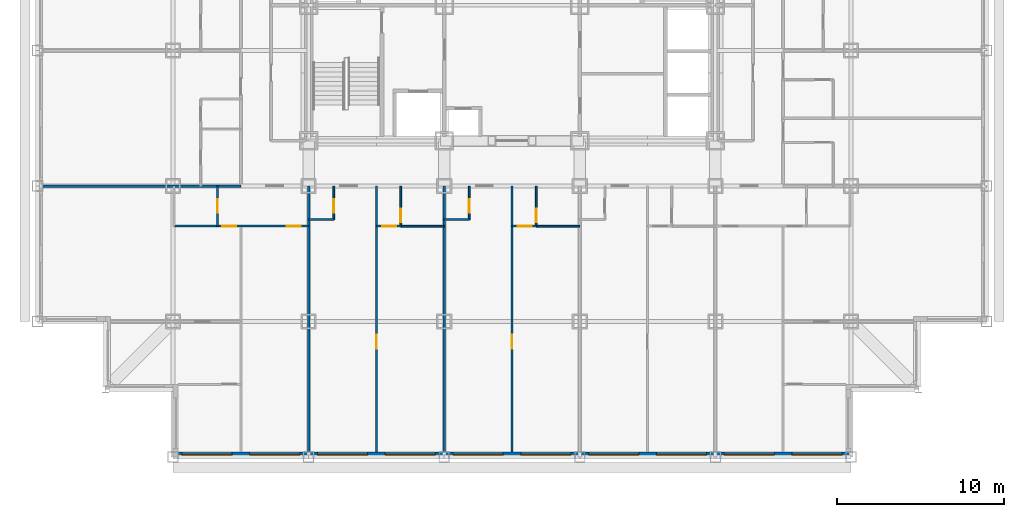
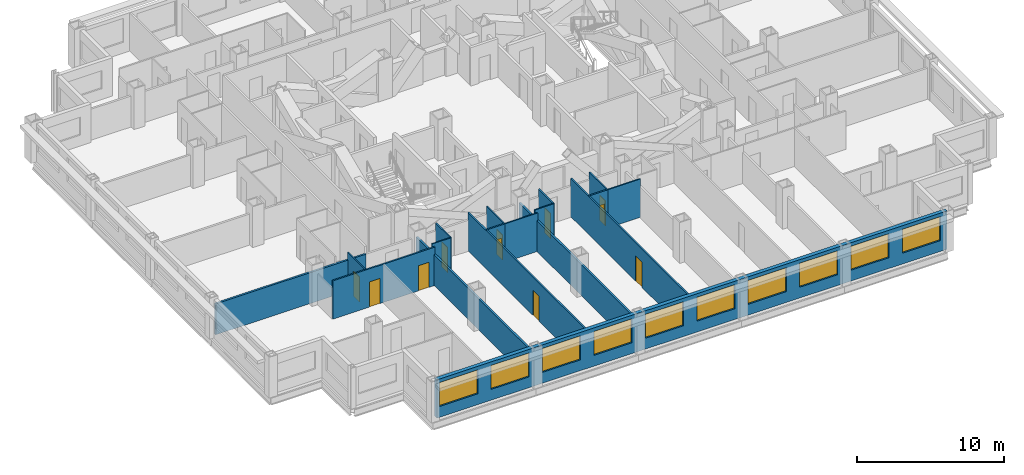
# One storey, part 4 of 12: 18 walls, 11 doors, 10 windows, 21 openings.
"""IFC4 building model written with IfcOpenShell, lengths in metres."""

from ifc_helpers import new_model, si_unit, direction, frame, frame_2d, origin, place, context, subcontext, project, spatial, rectangle, extrude, material, layer, layer_set, type_object, element, fill, save


model = new_model("IFC4")

# Units and contexts
model_context = context("Model", 3, precision=1e-05, world=origin(), true_north=direction((0.0, 1.0)))
body_context = subcontext(model_context, "Body", "Model", "MODEL_VIEW")
ifc_project = project(units=[si_unit("LENGTHUNIT", "METRE"), si_unit("AREAUNIT", "SQUARE_METRE"), si_unit("VOLUMEUNIT", "CUBIC_METRE"), si_unit("PLANEANGLEUNIT", "RADIAN"), si_unit("MASSUNIT", "GRAM", prefix="KILO")], contexts=[model_context])

# Site, building, storey
site_placement = place(None, origin())
site = spatial("IfcSite", under=ifc_project, at=site_placement, CompositionType="ELEMENT")
building_placement = place(site_placement, origin())
building = spatial("IfcBuilding", under=site, at=building_placement, Name="Kopane Lantern Tower", CompositionType="ELEMENT")
storey_placement = place(building_placement, frame((0.0, 0.0, 106.800048828125)))
storey = spatial("IfcBuildingStorey", under=building, at=storey_placement, Name="L26", CompositionType="ELEMENT", Elevation=106.800048828125)

# Wall, opening, door
ifc_material_1 = material(Name="Gypsum board on steel studs", Category="steel")
ifc_layer_1 = layer(ifc_material_1, 0.1201171875)
ifc_layer_set_1 = layer_set([ifc_layer_1], Name="APARTMENT INTERNAL WALL 120")
wall_type_1 = type_object("IfcWallType", Name="APARTMENT INTERNAL WALL 120", PredefinedType="PARTITIONING", material=ifc_layer_set_1)
wall_1_placement = place(storey_placement, frame((20.25, 21.60009765625, 0.0), z_axis=(0.0, 0.0, 1.0), x_axis=(0.0, -1.0, 0.0)))
wall_1 = element("IfcWall", 1, at=wall_1_placement, inside=storey, type_object=wall_type_1, Name="Apartment Internal Wall 120 L26", PredefinedType="PARTITIONING", context=body_context, shape_type="SweptSolid", body=[
    extrude(rectangle(XDim=15.900146484375, YDim=0.1201171875, at=frame_2d((7.9501953125, 0.0))), origin(), (0.0, 0.0, 1.0), 3.18994140625),
])
opening_1_placement = place(wall_1_placement, frame((8.875, 0.0, 0.0)))
opening_1 = element("IfcOpeningElement", 2, at=opening_1_placement, cuts=wall_1, Name="Opening L26-012", PredefinedType="OPENING", context=body_context, shape_type="SweptSolid", body=[
    extrude(rectangle(XDim=0.85009765625, YDim=2.10009765625, at=frame_2d((0.425048828125, 1.050048828125))), frame((0.0, 0.070068359375, 0.0), z_axis=(0.0, -1.0, 0.0), x_axis=(1.0, 0.0, 0.0)), (0.0, 0.0, 1.0), 0.14013671875),
])
ifc_material_2 = material(Name="Timber door set", Category="wood")
door_type_1 = type_object("IfcDoorType", Name="DOOR D4 850x2100", OperationType="SINGLE_SWING_LEFT", PredefinedType="DOOR", material=ifc_material_2)
door_1_placement = place(opening_1_placement, origin())
door_1 = element("IfcDoor", 3, at=door_1_placement, inside=storey, type_object=door_type_1, Name="Door L26-012", OperationType="SINGLE_SWING_LEFT", OverallHeight=2.10009765625, OverallWidth=0.85009765625, PredefinedType="DOOR", context=body_context, shape_type="SweptSolid", body=[
    extrude(rectangle(XDim=0.85009765625, YDim=2.10009765625, at=frame_2d((0.425048828125, 1.050048828125))), frame((0.0, 0.02490234375, 0.0), z_axis=(0.0, -1.0, 0.0), x_axis=(1.0, 0.0, 0.0)), (0.0, 0.0, 1.0), 0.050048828125),
])
fill(opening_1, door_1)

wall_2_placement = place(storey_placement, frame((28.35009765625, 21.60009765625, 0.0), z_axis=(0.0, 0.0, 1.0), x_axis=(0.0, -1.0, 0.0)))
wall_2 = element("IfcWall", 4, at=wall_2_placement, inside=storey, type_object=wall_type_1, Name="Apartment Internal Wall 120 L26", PredefinedType="PARTITIONING", context=body_context, shape_type="SweptSolid", body=[
    extrude(rectangle(XDim=15.900146484375, YDim=0.1201171875, at=frame_2d((7.9501953125, 0.0))), origin(), (0.0, 0.0, 1.0), 3.18994140625),
])
opening_2_placement = place(wall_2_placement, frame((8.875, 0.0, 0.0)))
opening_2 = element("IfcOpeningElement", 5, at=opening_2_placement, cuts=wall_2, Name="Opening L26-016", PredefinedType="OPENING", context=body_context, shape_type="SweptSolid", body=[
    extrude(rectangle(XDim=0.85009765625, YDim=2.10009765625, at=frame_2d((0.425048828125, 1.050048828125))), frame((0.0, 0.070068359375, 0.0), z_axis=(0.0, -1.0, 0.0), x_axis=(1.0, 0.0, 0.0)), (0.0, 0.0, 1.0), 0.14013671875),
])
door_2_placement = place(opening_2_placement, origin())
door_2 = element("IfcDoor", 6, at=door_2_placement, inside=storey, type_object=door_type_1, Name="Door L26-016", OperationType="SINGLE_SWING_LEFT", OverallHeight=2.10009765625, OverallWidth=0.85009765625, PredefinedType="DOOR", context=body_context, shape_type="SweptSolid", body=[
    extrude(rectangle(XDim=0.85009765625, YDim=2.10009765625, at=frame_2d((0.425048828125, 1.050048828125))), frame((0.0, 0.02490234375, 0.0), z_axis=(0.0, -1.0, 0.0), x_axis=(1.0, 0.0, 0.0)), (0.0, 0.0, 1.0), 0.050048828125),
])
fill(opening_2, door_2)

# Wall, openings, doors
wall_3_placement = place(storey_placement, frame((8.14990234375, 19.199951171875, 0.0), z_axis=(0.0, 0.0, 1.0), x_axis=(1.0, 0.0, 0.0)))
wall_3 = element("IfcWall", 7, at=wall_3_placement, inside=storey, type_object=wall_type_1, Name="Apartment Internal Wall 120 L26", PredefinedType="PARTITIONING", context=body_context, shape_type="SweptSolid", body=[
    extrude(rectangle(XDim=8.050048828125, YDim=0.1201171875, at=frame_2d((4.02490234375, 0.0))), origin(), (0.0, 0.0, 1.0), 3.18994140625),
])
opening_3_placement = place(wall_3_placement, frame((6.72509765625, 0.0, 0.0)))
opening_3 = element("IfcOpeningElement", 8, at=opening_3_placement, cuts=wall_3, Name="Opening L26-050", PredefinedType="OPENING", context=body_context, shape_type="SweptSolid", body=[
    extrude(rectangle(XDim=0.85009765625, YDim=2.10009765625, at=frame_2d((0.425048828125, 1.050048828125))), frame((0.0, 0.070068359375, 0.0), z_axis=(0.0, -1.0, 0.0), x_axis=(1.0, 0.0, 0.0)), (0.0, 0.0, 1.0), 0.14013671875),
])
opening_4_placement = place(wall_3_placement, frame((2.875, 0.0, 0.0)))
opening_4 = element("IfcOpeningElement", 9, at=opening_4_placement, cuts=wall_3, Name="Opening L26-052", PredefinedType="OPENING", context=body_context, shape_type="SweptSolid", body=[
    extrude(rectangle(XDim=0.85009765625, YDim=2.10009765625, at=frame_2d((0.425048828125, 1.050048828125))), frame((0.0, 0.070068359375, 0.0), z_axis=(0.0, -1.0, 0.0), x_axis=(1.0, 0.0, 0.0)), (0.0, 0.0, 1.0), 0.14013671875),
])
door_3_placement = place(opening_3_placement, origin())
door_3 = element("IfcDoor", 10, at=door_3_placement, inside=storey, type_object=door_type_1, Name="Door L26-050", OperationType="SINGLE_SWING_RIGHT", OverallHeight=2.10009765625, OverallWidth=0.85009765625, PredefinedType="DOOR", context=body_context, shape_type="SweptSolid", body=[
    extrude(rectangle(XDim=0.85009765625, YDim=2.10009765625, at=frame_2d((0.425048828125, 1.050048828125))), frame((0.0, 0.02490234375, 0.0), z_axis=(0.0, -1.0, 0.0), x_axis=(1.0, 0.0, 0.0)), (0.0, 0.0, 1.0), 0.050048828125),
])
fill(opening_3, door_3)
door_4_placement = place(opening_4_placement, origin())
door_4 = element("IfcDoor", 11, at=door_4_placement, inside=storey, type_object=door_type_1, Name="Door L26-052", OperationType="SINGLE_SWING_LEFT", OverallHeight=2.10009765625, OverallWidth=0.85009765625, PredefinedType="DOOR", context=body_context, shape_type="SweptSolid", body=[
    extrude(rectangle(XDim=0.85009765625, YDim=2.10009765625, at=frame_2d((0.425048828125, 1.050048828125))), frame((0.0, 0.02490234375, 0.0), z_axis=(0.0, -1.0, 0.0), x_axis=(1.0, 0.0, 0.0)), (0.0, 0.0, 1.0), 0.050048828125),
])
fill(opening_4, door_4)

# Wall, opening, door
wall_4_placement = place(storey_placement, frame((21.7099609375, 19.199951171875, 0.0), z_axis=(0.0, 0.0, 1.0), x_axis=(-1.0, 0.0, 0.0)))
wall_4 = element("IfcWall", 12, at=wall_4_placement, inside=storey, type_object=wall_type_1, Name="Apartment Internal Wall 120 L26", PredefinedType="PARTITIONING", context=body_context, shape_type="SweptSolid", body=[
    extrude(rectangle(XDim=1.4599609375, YDim=0.1201171875, at=frame_2d((0.72998046875, 0.0))), origin(), (0.0, 0.0, 1.0), 3.18994140625),
])
opening_5_placement = place(wall_4_placement, frame((0.27490234375, 0.0, 0.0)))
opening_5 = element("IfcOpeningElement", 13, at=opening_5_placement, cuts=wall_4, Name="Opening L26-067", PredefinedType="OPENING", context=body_context, shape_type="SweptSolid", body=[
    extrude(rectangle(XDim=0.85009765625, YDim=2.10009765625, at=frame_2d((0.425048828125, 1.050048828125))), frame((0.0, 0.070068359375, 0.0), z_axis=(0.0, -1.0, 0.0), x_axis=(1.0, 0.0, 0.0)), (0.0, 0.0, 1.0), 0.14013671875),
])
door_5_placement = place(opening_5_placement, origin())
door_5 = element("IfcDoor", 14, at=door_5_placement, inside=storey, type_object=door_type_1, Name="Door L26-067", OperationType="SINGLE_SWING_RIGHT", OverallHeight=2.10009765625, OverallWidth=0.85009765625, PredefinedType="DOOR", context=body_context, shape_type="SweptSolid", body=[
    extrude(rectangle(XDim=0.85009765625, YDim=2.10009765625, at=frame_2d((0.425048828125, 1.050048828125))), frame((0.0, 0.02490234375, 0.0), z_axis=(0.0, -1.0, 0.0), x_axis=(1.0, 0.0, 0.0)), (0.0, 0.0, 1.0), 0.050048828125),
])
fill(opening_5, door_5)

wall_5_placement = place(storey_placement, frame((29.81005859375, 19.199951171875, 0.0), z_axis=(0.0, 0.0, 1.0), x_axis=(-1.0, 0.0, 0.0)))
wall_5 = element("IfcWall", 15, at=wall_5_placement, inside=storey, type_object=wall_type_1, Name="Apartment Internal Wall 120 L26", PredefinedType="PARTITIONING", context=body_context, shape_type="SweptSolid", body=[
    extrude(rectangle(XDim=1.4599609375, YDim=0.1201171875, at=frame_2d((0.72998046875, 0.0))), origin(), (0.0, 0.0, 1.0), 3.18994140625),
])
opening_6_placement = place(wall_5_placement, frame((0.27490234375, 0.0, 0.0)))
opening_6 = element("IfcOpeningElement", 16, at=opening_6_placement, cuts=wall_5, Name="Opening L26-068", PredefinedType="OPENING", context=body_context, shape_type="SweptSolid", body=[
    extrude(rectangle(XDim=0.85009765625, YDim=2.10009765625, at=frame_2d((0.425048828125, 1.050048828125))), frame((0.0, 0.070068359375, 0.0), z_axis=(0.0, -1.0, 0.0), x_axis=(1.0, 0.0, 0.0)), (0.0, 0.0, 1.0), 0.14013671875),
])
door_6_placement = place(opening_6_placement, origin())
door_6 = element("IfcDoor", 17, at=door_6_placement, inside=storey, type_object=door_type_1, Name="Door L26-068", OperationType="SINGLE_SWING_RIGHT", OverallHeight=2.10009765625, OverallWidth=0.85009765625, PredefinedType="DOOR", context=body_context, shape_type="SweptSolid", body=[
    extrude(rectangle(XDim=0.85009765625, YDim=2.10009765625, at=frame_2d((0.425048828125, 1.050048828125))), frame((0.0, 0.02490234375, 0.0), z_axis=(0.0, -1.0, 0.0), x_axis=(1.0, 0.0, 0.0)), (0.0, 0.0, 1.0), 0.050048828125),
])
fill(opening_6, door_6)

# Wall
ifc_material_3 = material(Name="Moisture-resistant board on steel studs", Category="steel")
ifc_layer_2 = layer(ifc_material_3, 0.10009765625)
ifc_layer_set_2 = layer_set([ifc_layer_2], Name="BATHROOM WALL 100")
wall_type_2 = type_object("IfcWallType", Name="BATHROOM WALL 100", PredefinedType="PARTITIONING", material=ifc_layer_set_2)
wall_6_placement = place(storey_placement, frame((16.199951171875, 19.60009765625, 0.0), z_axis=(0.0, 0.0, 1.0), x_axis=(1.0, 0.0, 0.0)))
element("IfcWall", 18, at=wall_6_placement, inside=storey, type_object=wall_type_2, Name="Bathroom Wall 100 L26", PredefinedType="PARTITIONING", context=body_context, shape_type="SweptSolid", body=[
    extrude(rectangle(XDim=1.5, YDim=0.10009765625, at=frame_2d((0.75, 0.0))), origin(), (0.0, 0.0, 1.0), 3.18994140625),
])

# Wall, opening, door
wall_7_placement = place(storey_placement, frame((17.699951171875, 21.60009765625, 0.0), z_axis=(0.0, 0.0, 1.0), x_axis=(0.0, -1.0, 0.0)))
wall_7 = element("IfcWall", 19, at=wall_7_placement, inside=storey, type_object=wall_type_2, Name="Bathroom Wall 100 L26", PredefinedType="PARTITIONING", context=body_context, shape_type="SweptSolid", body=[
    extrude(rectangle(XDim=2.0, YDim=0.10009765625, at=frame_2d((1.0, 0.0))), origin(), (0.0, 0.0, 1.0), 3.18994140625),
])
opening_7_placement = place(wall_7_placement, frame((0.800048828125, 0.0, 0.0)))
opening_7 = element("IfcOpeningElement", 20, at=opening_7_placement, cuts=wall_7, Name="Opening L26-009", PredefinedType="OPENING", context=body_context, shape_type="SweptSolid", body=[
    extrude(rectangle(XDim=0.800048828125, YDim=2.10009765625, at=frame_2d((0.39990234375, 1.050048828125))), frame((0.0, 0.06005859375, 0.0), z_axis=(0.0, -1.0, 0.0), x_axis=(1.0, 0.0, 0.0)), (0.0, 0.0, 1.0), 0.1201171875),
])
ifc_material_4 = material(Name="Timber door set", Category="wood")
door_type_2 = type_object("IfcDoorType", Name="DOOR D2 800x2100", OperationType="SINGLE_SWING_LEFT", PredefinedType="DOOR", material=ifc_material_4)
door_7_placement = place(opening_7_placement, origin())
door_7 = element("IfcDoor", 21, at=door_7_placement, inside=storey, type_object=door_type_2, Name="Door L26-009", OperationType="SINGLE_SWING_LEFT", OverallHeight=2.10009765625, OverallWidth=0.800048828125, PredefinedType="DOOR", context=body_context, shape_type="SweptSolid", body=[
    extrude(rectangle(XDim=0.800048828125, YDim=2.10009765625, at=frame_2d((0.39990234375, 1.050048828125))), frame((0.0, 0.02490234375, 0.0), z_axis=(0.0, -1.0, 0.0), x_axis=(1.0, 0.0, 0.0)), (0.0, 0.0, 1.0), 0.050048828125),
])
fill(opening_7, door_7)

# Wall
wall_8_placement = place(storey_placement, frame((21.699951171875, 19.199951171875, 0.0), z_axis=(0.0, 0.0, 1.0), x_axis=(1.0, 0.0, 0.0)))
element("IfcWall", 22, at=wall_8_placement, inside=storey, type_object=wall_type_2, Name="Bathroom Wall 100 L26", PredefinedType="PARTITIONING", context=body_context, shape_type="SweptSolid", body=[
    extrude(rectangle(XDim=2.60009765625, YDim=0.10009765625, at=frame_2d((1.300048828125, 0.0))), origin(), (0.0, 0.0, 1.0), 3.18994140625),
])

# Wall, opening, door
wall_9_placement = place(storey_placement, frame((21.699951171875, 21.60009765625, 0.0), z_axis=(0.0, 0.0, 1.0), x_axis=(0.0, -1.0, 0.0)))
wall_9 = element("IfcWall", 23, at=wall_9_placement, inside=storey, type_object=wall_type_2, Name="Bathroom Wall 100 L26", PredefinedType="PARTITIONING", context=body_context, shape_type="SweptSolid", body=[
    extrude(rectangle(XDim=2.400146484375, YDim=0.10009765625, at=frame_2d((1.2001953125, 0.0))), origin(), (0.0, 0.0, 1.0), 3.18994140625),
])
opening_8_placement = place(wall_9_placement, frame((1.35009765625, 0.0, 0.0)))
opening_8 = element("IfcOpeningElement", 24, at=opening_8_placement, cuts=wall_9, Name="Opening L26-011", PredefinedType="OPENING", context=body_context, shape_type="SweptSolid", body=[
    extrude(rectangle(XDim=0.800048828125, YDim=2.10009765625, at=frame_2d((0.39990234375, 1.050048828125))), frame((0.0, 0.06005859375, 0.0), z_axis=(0.0, -1.0, 0.0), x_axis=(1.0, 0.0, 0.0)), (0.0, 0.0, 1.0), 0.1201171875),
])
door_8_placement = place(opening_8_placement, origin())
door_8 = element("IfcDoor", 25, at=door_8_placement, inside=storey, type_object=door_type_2, Name="Door L26-011", OperationType="SINGLE_SWING_LEFT", OverallHeight=2.10009765625, OverallWidth=0.800048828125, PredefinedType="DOOR", context=body_context, shape_type="SweptSolid", body=[
    extrude(rectangle(XDim=0.800048828125, YDim=2.10009765625, at=frame_2d((0.39990234375, 1.050048828125))), frame((0.0, 0.02490234375, 0.0), z_axis=(0.0, -1.0, 0.0), x_axis=(1.0, 0.0, 0.0)), (0.0, 0.0, 1.0), 0.050048828125),
])
fill(opening_8, door_8)

# Wall
wall_10_placement = place(storey_placement, frame((24.300048828125, 19.60009765625, 0.0), z_axis=(0.0, 0.0, 1.0), x_axis=(1.0, 0.0, 0.0)))
element("IfcWall", 26, at=wall_10_placement, inside=storey, type_object=wall_type_2, Name="Bathroom Wall 100 L26", PredefinedType="PARTITIONING", context=body_context, shape_type="SweptSolid", body=[
    extrude(rectangle(XDim=1.5, YDim=0.10009765625, at=frame_2d((0.75, 0.0))), origin(), (0.0, 0.0, 1.0), 3.18994140625),
])

# Wall, opening, door
wall_11_placement = place(storey_placement, frame((25.800048828125, 21.60009765625, 0.0), z_axis=(0.0, 0.0, 1.0), x_axis=(0.0, -1.0, 0.0)))
wall_11 = element("IfcWall", 27, at=wall_11_placement, inside=storey, type_object=wall_type_2, Name="Bathroom Wall 100 L26", PredefinedType="PARTITIONING", context=body_context, shape_type="SweptSolid", body=[
    extrude(rectangle(XDim=2.0, YDim=0.10009765625, at=frame_2d((1.0, 0.0))), origin(), (0.0, 0.0, 1.0), 3.18994140625),
])
opening_9_placement = place(wall_11_placement, frame((0.800048828125, 0.0, 0.0)))
opening_9 = element("IfcOpeningElement", 28, at=opening_9_placement, cuts=wall_11, Name="Opening L26-013", PredefinedType="OPENING", context=body_context, shape_type="SweptSolid", body=[
    extrude(rectangle(XDim=0.800048828125, YDim=2.10009765625, at=frame_2d((0.39990234375, 1.050048828125))), frame((0.0, 0.06005859375, 0.0), z_axis=(0.0, -1.0, 0.0), x_axis=(1.0, 0.0, 0.0)), (0.0, 0.0, 1.0), 0.1201171875),
])
door_9_placement = place(opening_9_placement, origin())
door_9 = element("IfcDoor", 29, at=door_9_placement, inside=storey, type_object=door_type_2, Name="Door L26-013", OperationType="SINGLE_SWING_LEFT", OverallHeight=2.10009765625, OverallWidth=0.800048828125, PredefinedType="DOOR", context=body_context, shape_type="SweptSolid", body=[
    extrude(rectangle(XDim=0.800048828125, YDim=2.10009765625, at=frame_2d((0.39990234375, 1.050048828125))), frame((0.0, 0.02490234375, 0.0), z_axis=(0.0, -1.0, 0.0), x_axis=(1.0, 0.0, 0.0)), (0.0, 0.0, 1.0), 0.050048828125),
])
fill(opening_9, door_9)

# Wall
wall_12_placement = place(storey_placement, frame((29.800048828125, 19.199951171875, 0.0), z_axis=(0.0, 0.0, 1.0), x_axis=(1.0, 0.0, 0.0)))
element("IfcWall", 30, at=wall_12_placement, inside=storey, type_object=wall_type_2, Name="Bathroom Wall 100 L26", PredefinedType="PARTITIONING", context=body_context, shape_type="SweptSolid", body=[
    extrude(rectangle(XDim=2.599853515625, YDim=0.10009765625, at=frame_2d((1.2998046875, 0.0))), origin(), (0.0, 0.0, 1.0), 3.18994140625),
])

# Wall, opening, door
wall_13_placement = place(storey_placement, frame((29.800048828125, 21.60009765625, 0.0), z_axis=(0.0, 0.0, 1.0), x_axis=(0.0, -1.0, 0.0)))
wall_13 = element("IfcWall", 31, at=wall_13_placement, inside=storey, type_object=wall_type_2, Name="Bathroom Wall 100 L26", PredefinedType="PARTITIONING", context=body_context, shape_type="SweptSolid", body=[
    extrude(rectangle(XDim=2.400146484375, YDim=0.10009765625, at=frame_2d((1.2001953125, 0.0))), origin(), (0.0, 0.0, 1.0), 3.18994140625),
])
opening_10_placement = place(wall_13_placement, frame((1.35009765625, 0.0, 0.0)))
opening_10 = element("IfcOpeningElement", 32, at=opening_10_placement, cuts=wall_13, Name="Opening L26-015", PredefinedType="OPENING", context=body_context, shape_type="SweptSolid", body=[
    extrude(rectangle(XDim=0.800048828125, YDim=2.10009765625, at=frame_2d((0.39990234375, 1.050048828125))), frame((0.0, 0.06005859375, 0.0), z_axis=(0.0, -1.0, 0.0), x_axis=(1.0, 0.0, 0.0)), (0.0, 0.0, 1.0), 0.1201171875),
])
door_10_placement = place(opening_10_placement, origin())
door_10 = element("IfcDoor", 33, at=door_10_placement, inside=storey, type_object=door_type_2, Name="Door L26-015", OperationType="SINGLE_SWING_LEFT", OverallHeight=2.10009765625, OverallWidth=0.800048828125, PredefinedType="DOOR", context=body_context, shape_type="SweptSolid", body=[
    extrude(rectangle(XDim=0.800048828125, YDim=2.10009765625, at=frame_2d((0.39990234375, 1.050048828125))), frame((0.0, 0.02490234375, 0.0), z_axis=(0.0, -1.0, 0.0), x_axis=(1.0, 0.0, 0.0)), (0.0, 0.0, 1.0), 0.050048828125),
])
fill(opening_10, door_10)

wall_14_placement = place(storey_placement, frame((10.75, 21.60009765625, 0.0), z_axis=(0.0, 0.0, 1.0), x_axis=(0.0, -1.0, 0.0)))
wall_14 = element("IfcWall", 34, at=wall_14_placement, inside=storey, type_object=wall_type_2, Name="Bathroom Wall 100 L26", PredefinedType="PARTITIONING", context=body_context, shape_type="SweptSolid", body=[
    extrude(rectangle(XDim=2.400146484375, YDim=0.10009765625, at=frame_2d((1.2001953125, 0.0))), origin(), (0.0, 0.0, 1.0), 3.18994140625),
])
opening_11_placement = place(wall_14_placement, frame((0.800048828125, 0.0, 0.0)))
opening_11 = element("IfcOpeningElement", 35, at=opening_11_placement, cuts=wall_14, Name="Opening L26-051", PredefinedType="OPENING", context=body_context, shape_type="SweptSolid", body=[
    extrude(rectangle(XDim=0.800048828125, YDim=2.10009765625, at=frame_2d((0.39990234375, 1.050048828125))), frame((0.0, 0.06005859375, 0.0), z_axis=(0.0, -1.0, 0.0), x_axis=(1.0, 0.0, 0.0)), (0.0, 0.0, 1.0), 0.1201171875),
])
door_11_placement = place(opening_11_placement, origin())
door_11 = element("IfcDoor", 36, at=door_11_placement, inside=storey, type_object=door_type_2, Name="Door L26-051", OperationType="SINGLE_SWING_RIGHT", OverallHeight=2.10009765625, OverallWidth=0.800048828125, PredefinedType="DOOR", context=body_context, shape_type="SweptSolid", body=[
    extrude(rectangle(XDim=0.800048828125, YDim=2.10009765625, at=frame_2d((0.39990234375, 1.050048828125))), frame((0.0, 0.02490234375, 0.0), z_axis=(0.0, -1.0, 0.0), x_axis=(1.0, 0.0, 0.0)), (0.0, 0.0, 1.0), 0.050048828125),
])
fill(opening_11, door_11)

# Walls
ifc_material_5 = material(Name="Gypsum board on steel studs", Category="steel")
ifc_layer_3 = layer(ifc_material_5, 0.14990234375)
ifc_layer_set_3 = layer_set([ifc_layer_3], Name="DEMISING WALL 150 EI 60")
wall_type_3 = type_object("IfcWallType", Name="DEMISING WALL 150 EI 60", PredefinedType="PARTITIONING", material=ifc_layer_set_3)
wall_15_placement = place(storey_placement, frame((24.300048828125, 21.60009765625, 0.0), z_axis=(0.0, 0.0, 1.0), x_axis=(0.0, -1.0, 0.0)))
element("IfcWall", 37, at=wall_15_placement, inside=storey, type_object=wall_type_3, Name="Demising Wall 150 Ei 60 L26", PredefinedType="PARTITIONING", context=body_context, shape_type="SweptSolid", body=[
    extrude(rectangle(XDim=15.900146484375, YDim=0.14990234375, at=frame_2d((7.9501953125, 0.0))), origin(), (0.0, 0.0, 1.0), 2.57763671875),
])
wall_16_placement = place(storey_placement, frame((0.300048828125, 21.60009765625, 0.0), z_axis=(0.0, 0.0, 1.0), x_axis=(1.0, 0.0, 0.0)))
element("IfcWall", 38, at=wall_16_placement, inside=storey, type_object=wall_type_3, Name="Demising Wall 150 Ei 60 L26", PredefinedType="PARTITIONING", context=body_context, shape_type="SweptSolid", body=[
    extrude(rectangle(XDim=11.849853515625, YDim=0.14990234375, at=frame_2d((5.9248046875, 0.0))), origin(), (0.0, 0.0, 1.0), 2.57763671875),
])
wall_17_placement = place(storey_placement, frame((16.199951171875, 21.60009765625, 0.0), z_axis=(0.0, 0.0, 1.0), x_axis=(0.0, -1.0, 0.0)))
element("IfcWall", 39, at=wall_17_placement, inside=storey, type_object=wall_type_3, Name="Demising Wall 150 Ei 60 L26", PredefinedType="PARTITIONING", context=body_context, shape_type="SweptSolid", body=[
    extrude(rectangle(XDim=15.900146484375, YDim=0.14990234375, at=frame_2d((7.9501953125, 0.0))), origin(), (0.0, 0.0, 1.0), 2.57763671875),
])

# Wall, openings, windows
ifc_material_6 = material(Name="Terracotta rainscreen on light steel framing", Category="masonry")
ifc_layer_4 = layer(ifc_material_6, 0.300048828125)
ifc_layer_set_4 = layer_set([ifc_layer_4], Name="EXTERNAL WALL EW1 300 TERRACOTTA")
wall_type_4 = type_object("IfcWallType", Name="EXTERNAL WALL EW1 300 TERRACOTTA", PredefinedType="SOLIDWALL", material=ifc_layer_set_4)
wall_18_placement = place(storey_placement, frame((8.39990234375, 5.550048828125, 0.0), z_axis=(0.0, 0.0, 1.0), x_axis=(1.0, 0.0, 0.0)))
wall_18 = element("IfcWall", 40, at=wall_18_placement, inside=storey, type_object=wall_type_4, Name="External wall S L26", PredefinedType="SOLIDWALL", context=body_context, shape_type="SweptSolid", body=[
    extrude(rectangle(XDim=40.2001953125, YDim=0.300048828125, at=frame_2d((20.10009765625, 0.0))), origin(), (0.0, 0.0, 1.0), 3.18994140625),
])
opening_12_placement = place(wall_18_placement, frame((0.22509765625, 0.0, 0.89990234375)))
opening_12 = element("IfcOpeningElement", 41, at=opening_12_placement, cuts=wall_18, Name="Opening WR300200", PredefinedType="OPENING", context=body_context, shape_type="SweptSolid", body=[
    extrude(rectangle(XDim=3.0, YDim=2.0, at=frame_2d((1.5, 1.0))), frame((0.0, 0.159912109375, 0.0), z_axis=(0.0, -1.0, 0.0), x_axis=(1.0, 0.0, 0.0)), (0.0, 0.0, 1.0), 0.320068359375),
])
opening_13_placement = place(wall_18_placement, frame((4.27490234375, 0.0, 0.89990234375)))
opening_13 = element("IfcOpeningElement", 42, at=opening_13_placement, cuts=wall_18, Name="Opening WR300200", PredefinedType="OPENING", context=body_context, shape_type="SweptSolid", body=[
    extrude(rectangle(XDim=3.0, YDim=2.0, at=frame_2d((1.5, 1.0))), frame((0.0, 0.159912109375, 0.0), z_axis=(0.0, -1.0, 0.0), x_axis=(1.0, 0.0, 0.0)), (0.0, 0.0, 1.0), 0.320068359375),
])
opening_14_placement = place(wall_18_placement, frame((8.324951171875, 0.0, 0.89990234375)))
opening_14 = element("IfcOpeningElement", 43, at=opening_14_placement, cuts=wall_18, Name="Opening WR300200", PredefinedType="OPENING", context=body_context, shape_type="SweptSolid", body=[
    extrude(rectangle(XDim=3.0, YDim=2.0, at=frame_2d((1.5, 1.0))), frame((0.0, 0.159912109375, 0.0), z_axis=(0.0, -1.0, 0.0), x_axis=(1.0, 0.0, 0.0)), (0.0, 0.0, 1.0), 0.320068359375),
])
opening_15_placement = place(wall_18_placement, frame((12.375, 0.0, 0.89990234375)))
opening_15 = element("IfcOpeningElement", 44, at=opening_15_placement, cuts=wall_18, Name="Opening WR300200", PredefinedType="OPENING", context=body_context, shape_type="SweptSolid", body=[
    extrude(rectangle(XDim=3.0, YDim=2.0, at=frame_2d((1.5, 1.0))), frame((0.0, 0.159912109375, 0.0), z_axis=(0.0, -1.0, 0.0), x_axis=(1.0, 0.0, 0.0)), (0.0, 0.0, 1.0), 0.320068359375),
])
opening_16_placement = place(wall_18_placement, frame((16.425048828125, 0.0, 0.89990234375)))
opening_16 = element("IfcOpeningElement", 45, at=opening_16_placement, cuts=wall_18, Name="Opening WR300200", PredefinedType="OPENING", context=body_context, shape_type="SweptSolid", body=[
    extrude(rectangle(XDim=3.0, YDim=2.0, at=frame_2d((1.5, 1.0))), frame((0.0, 0.159912109375, 0.0), z_axis=(0.0, -1.0, 0.0), x_axis=(1.0, 0.0, 0.0)), (0.0, 0.0, 1.0), 0.320068359375),
])
opening_17_placement = place(wall_18_placement, frame((20.47509765625, 0.0, 0.89990234375)))
opening_17 = element("IfcOpeningElement", 46, at=opening_17_placement, cuts=wall_18, Name="Opening WR300200", PredefinedType="OPENING", context=body_context, shape_type="SweptSolid", body=[
    extrude(rectangle(XDim=3.0, YDim=2.0, at=frame_2d((1.5, 1.0))), frame((0.0, 0.159912109375, 0.0), z_axis=(0.0, -1.0, 0.0), x_axis=(1.0, 0.0, 0.0)), (0.0, 0.0, 1.0), 0.320068359375),
])
opening_18_placement = place(wall_18_placement, frame((24.52490234375, 0.0, 0.89990234375)))
opening_18 = element("IfcOpeningElement", 47, at=opening_18_placement, cuts=wall_18, Name="Opening WR300200", PredefinedType="OPENING", context=body_context, shape_type="SweptSolid", body=[
    extrude(rectangle(XDim=3.0, YDim=2.0, at=frame_2d((1.5, 1.0))), frame((0.0, 0.159912109375, 0.0), z_axis=(0.0, -1.0, 0.0), x_axis=(1.0, 0.0, 0.0)), (0.0, 0.0, 1.0), 0.320068359375),
])
opening_19_placement = place(wall_18_placement, frame((28.574951171875, 0.0, 0.89990234375)))
opening_19 = element("IfcOpeningElement", 48, at=opening_19_placement, cuts=wall_18, Name="Opening WR300200", PredefinedType="OPENING", context=body_context, shape_type="SweptSolid", body=[
    extrude(rectangle(XDim=3.0, YDim=2.0, at=frame_2d((1.5, 1.0))), frame((0.0, 0.159912109375, 0.0), z_axis=(0.0, -1.0, 0.0), x_axis=(1.0, 0.0, 0.0)), (0.0, 0.0, 1.0), 0.320068359375),
])
opening_20_placement = place(wall_18_placement, frame((32.625, 0.0, 0.89990234375)))
opening_20 = element("IfcOpeningElement", 49, at=opening_20_placement, cuts=wall_18, Name="Opening WR300200", PredefinedType="OPENING", context=body_context, shape_type="SweptSolid", body=[
    extrude(rectangle(XDim=3.0, YDim=2.0, at=frame_2d((1.5, 1.0))), frame((0.0, 0.159912109375, 0.0), z_axis=(0.0, -1.0, 0.0), x_axis=(1.0, 0.0, 0.0)), (0.0, 0.0, 1.0), 0.320068359375),
])
opening_21_placement = place(wall_18_placement, frame((36.675048828125, 0.0, 0.89990234375)))
opening_21 = element("IfcOpeningElement", 50, at=opening_21_placement, cuts=wall_18, Name="Opening WR300200", PredefinedType="OPENING", context=body_context, shape_type="SweptSolid", body=[
    extrude(rectangle(XDim=3.0, YDim=2.0, at=frame_2d((1.5, 1.0))), frame((0.0, 0.159912109375, 0.0), z_axis=(0.0, -1.0, 0.0), x_axis=(1.0, 0.0, 0.0)), (0.0, 0.0, 1.0), 0.320068359375),
])
ifc_material_7 = material(Name="Aluminium and clear glass", Category="aluminium")
window_type = type_object("IfcWindowType", Name="RIBBON WINDOW WR300200 3000x2000", PartitioningType="SINGLE_PANEL", PredefinedType="WINDOW", material=ifc_material_7)
window_1_placement = place(opening_12_placement, origin())
window_1 = element("IfcWindow", 51, at=window_1_placement, inside=storey, type_object=window_type, Name="Window S L26", OverallHeight=2.0, OverallWidth=3.0, PartitioningType="SINGLE_PANEL", PredefinedType="WINDOW", context=body_context, shape_type="SweptSolid", body=[
    extrude(rectangle(XDim=3.0, YDim=2.0, at=frame_2d((1.5, 1.0))), frame((0.0, 0.030029296875, 0.0), z_axis=(0.0, -1.0, 0.0), x_axis=(1.0, 0.0, 0.0)), (0.0, 0.0, 1.0), 0.06005859375),
])
fill(opening_12, window_1)
window_2_placement = place(opening_13_placement, origin())
window_2 = element("IfcWindow", 52, at=window_2_placement, inside=storey, type_object=window_type, Name="Window S L26", OverallHeight=2.0, OverallWidth=3.0, PartitioningType="SINGLE_PANEL", PredefinedType="WINDOW", context=body_context, shape_type="SweptSolid", body=[
    extrude(rectangle(XDim=3.0, YDim=2.0, at=frame_2d((1.5, 1.0))), frame((0.0, 0.030029296875, 0.0), z_axis=(0.0, -1.0, 0.0), x_axis=(1.0, 0.0, 0.0)), (0.0, 0.0, 1.0), 0.06005859375),
])
fill(opening_13, window_2)
window_3_placement = place(opening_14_placement, origin())
window_3 = element("IfcWindow", 53, at=window_3_placement, inside=storey, type_object=window_type, Name="Window S L26", OverallHeight=2.0, OverallWidth=3.0, PartitioningType="SINGLE_PANEL", PredefinedType="WINDOW", context=body_context, shape_type="SweptSolid", body=[
    extrude(rectangle(XDim=3.0, YDim=2.0, at=frame_2d((1.5, 1.0))), frame((0.0, 0.030029296875, 0.0), z_axis=(0.0, -1.0, 0.0), x_axis=(1.0, 0.0, 0.0)), (0.0, 0.0, 1.0), 0.06005859375),
])
fill(opening_14, window_3)
window_4_placement = place(opening_15_placement, origin())
window_4 = element("IfcWindow", 54, at=window_4_placement, inside=storey, type_object=window_type, Name="Window S L26", OverallHeight=2.0, OverallWidth=3.0, PartitioningType="SINGLE_PANEL", PredefinedType="WINDOW", context=body_context, shape_type="SweptSolid", body=[
    extrude(rectangle(XDim=3.0, YDim=2.0, at=frame_2d((1.5, 1.0))), frame((0.0, 0.030029296875, 0.0), z_axis=(0.0, -1.0, 0.0), x_axis=(1.0, 0.0, 0.0)), (0.0, 0.0, 1.0), 0.06005859375),
])
fill(opening_15, window_4)
window_5_placement = place(opening_16_placement, origin())
window_5 = element("IfcWindow", 55, at=window_5_placement, inside=storey, type_object=window_type, Name="Window S L26", OverallHeight=2.0, OverallWidth=3.0, PartitioningType="SINGLE_PANEL", PredefinedType="WINDOW", context=body_context, shape_type="SweptSolid", body=[
    extrude(rectangle(XDim=3.0, YDim=2.0, at=frame_2d((1.5, 1.0))), frame((0.0, 0.030029296875, 0.0), z_axis=(0.0, -1.0, 0.0), x_axis=(1.0, 0.0, 0.0)), (0.0, 0.0, 1.0), 0.06005859375),
])
fill(opening_16, window_5)
window_6_placement = place(opening_17_placement, origin())
window_6 = element("IfcWindow", 56, at=window_6_placement, inside=storey, type_object=window_type, Name="Window S L26", OverallHeight=2.0, OverallWidth=3.0, PartitioningType="SINGLE_PANEL", PredefinedType="WINDOW", context=body_context, shape_type="SweptSolid", body=[
    extrude(rectangle(XDim=3.0, YDim=2.0, at=frame_2d((1.5, 1.0))), frame((0.0, 0.030029296875, 0.0), z_axis=(0.0, -1.0, 0.0), x_axis=(1.0, 0.0, 0.0)), (0.0, 0.0, 1.0), 0.06005859375),
])
fill(opening_17, window_6)
window_7_placement = place(opening_18_placement, origin())
window_7 = element("IfcWindow", 57, at=window_7_placement, inside=storey, type_object=window_type, Name="Window S L26", OverallHeight=2.0, OverallWidth=3.0, PartitioningType="SINGLE_PANEL", PredefinedType="WINDOW", context=body_context, shape_type="SweptSolid", body=[
    extrude(rectangle(XDim=3.0, YDim=2.0, at=frame_2d((1.5, 1.0))), frame((0.0, 0.030029296875, 0.0), z_axis=(0.0, -1.0, 0.0), x_axis=(1.0, 0.0, 0.0)), (0.0, 0.0, 1.0), 0.06005859375),
])
fill(opening_18, window_7)
window_8_placement = place(opening_19_placement, origin())
window_8 = element("IfcWindow", 58, at=window_8_placement, inside=storey, type_object=window_type, Name="Window S L26", OverallHeight=2.0, OverallWidth=3.0, PartitioningType="SINGLE_PANEL", PredefinedType="WINDOW", context=body_context, shape_type="SweptSolid", body=[
    extrude(rectangle(XDim=3.0, YDim=2.0, at=frame_2d((1.5, 1.0))), frame((0.0, 0.030029296875, 0.0), z_axis=(0.0, -1.0, 0.0), x_axis=(1.0, 0.0, 0.0)), (0.0, 0.0, 1.0), 0.06005859375),
])
fill(opening_19, window_8)
window_9_placement = place(opening_20_placement, origin())
window_9 = element("IfcWindow", 59, at=window_9_placement, inside=storey, type_object=window_type, Name="Window S L26", OverallHeight=2.0, OverallWidth=3.0, PartitioningType="SINGLE_PANEL", PredefinedType="WINDOW", context=body_context, shape_type="SweptSolid", body=[
    extrude(rectangle(XDim=3.0, YDim=2.0, at=frame_2d((1.5, 1.0))), frame((0.0, 0.030029296875, 0.0), z_axis=(0.0, -1.0, 0.0), x_axis=(1.0, 0.0, 0.0)), (0.0, 0.0, 1.0), 0.06005859375),
])
fill(opening_20, window_9)
window_10_placement = place(opening_21_placement, origin())
window_10 = element("IfcWindow", 60, at=window_10_placement, inside=storey, type_object=window_type, Name="Window S L26", OverallHeight=2.0, OverallWidth=3.0, PartitioningType="SINGLE_PANEL", PredefinedType="WINDOW", context=body_context, shape_type="SweptSolid", body=[
    extrude(rectangle(XDim=3.0, YDim=2.0, at=frame_2d((1.5, 1.0))), frame((0.0, 0.030029296875, 0.0), z_axis=(0.0, -1.0, 0.0), x_axis=(1.0, 0.0, 0.0)), (0.0, 0.0, 1.0), 0.06005859375),
])
fill(opening_21, window_10)

save(model, "model.ifc")
